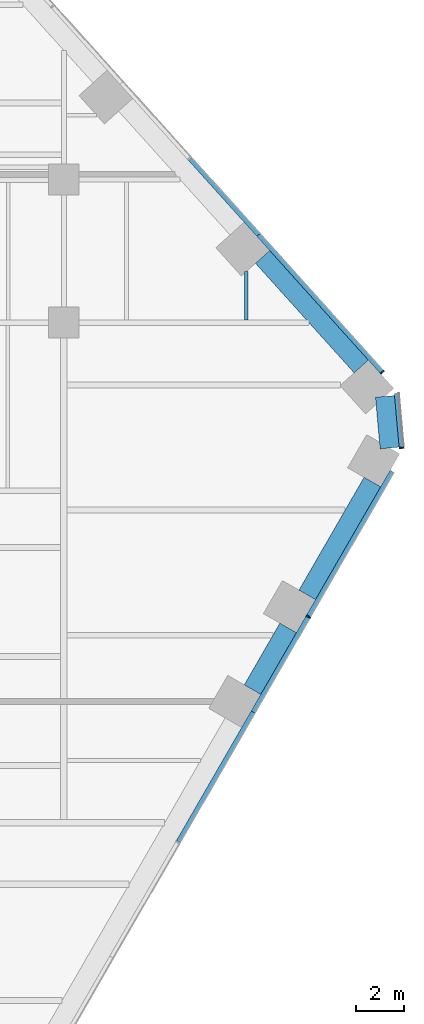
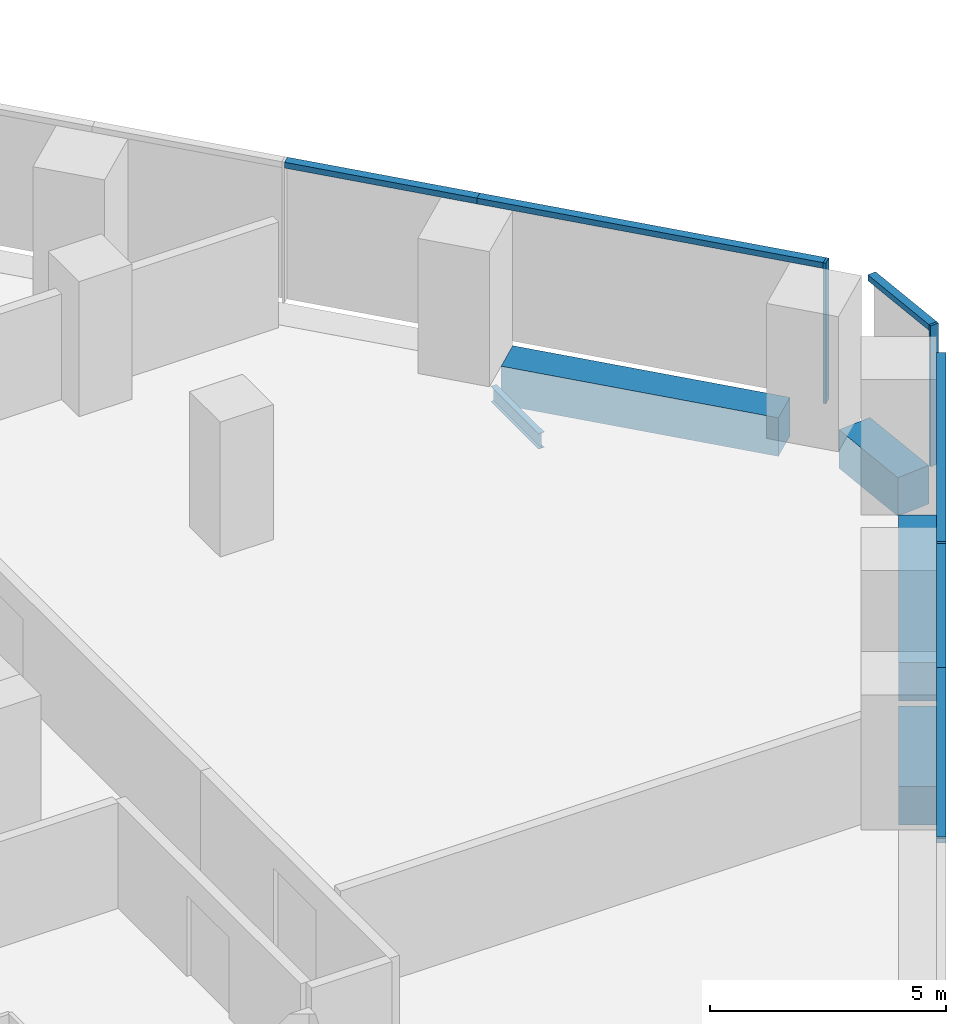
# One storey, part 11 of 19: 9 members, 5 beams, 3 elements without a shape of their own.
"""IFC4 building model written with IfcOpenShell, lengths in metres."""

from ifc_helpers import new_model, si_unit, direction, frame, origin, origin_2d, place, context, subcontext, project, spatial, rectangle, i_section, extrude, material, layer, layer_set, material_profile, profile_set, type_object, element, aggregate, save


model = new_model("IFC4")

# Units and contexts
model_context = context("Model", 3, precision=1e-05, world=origin(), true_north=direction((0.0, 1.0)))
body_context = subcontext(model_context, "Body", "Model", "MODEL_VIEW")
ifc_project = project(units=[si_unit("LENGTHUNIT", "METRE"), si_unit("AREAUNIT", "SQUARE_METRE"), si_unit("VOLUMEUNIT", "CUBIC_METRE"), si_unit("PLANEANGLEUNIT", "RADIAN"), si_unit("MASSUNIT", "GRAM", prefix="KILO")], contexts=[model_context])

# Site, building, storey
site_placement = place(None, origin())
site = spatial("IfcSite", under=ifc_project, at=site_placement, CompositionType="ELEMENT")
building_placement = place(site_placement, origin())
building = spatial("IfcBuilding", under=site, at=building_placement, Name="Isthmus Gate Tower", CompositionType="ELEMENT")
storey_placement = place(building_placement, frame((0.0, 0.0, 91.60009765625)))
storey = spatial("IfcBuildingStorey", under=building, at=storey_placement, Name="L21", CompositionType="ELEMENT", Elevation=91.60009765625)

# Curtain wall, member
ifc_material_1 = material(Name="Aluminium, pale champagne anodised", Category="aluminium")
ifc_layer = layer(ifc_material_1, 0.199951171875)
ifc_layer_set = layer_set([ifc_layer], Name="CW-1 UNITISED CURTAIN WALL 200 DEEP")
curtain_wall_type = type_object("IfcCurtainWallType", Name="CW-1 UNITISED CURTAIN WALL 200 DEEP", PredefinedType="NOTDEFINED", material=ifc_layer_set)
curtain_wall_1_placement = place(storey_placement, origin())
curtain_wall_1 = element("IfcCurtainWall", 1, at=curtain_wall_1_placement, inside=storey, type_object=curtain_wall_type, Name="CW-1 SE L21", PredefinedType="NOTDEFINED")
ifc_material_2 = material(Name="Aluminium, pale champagne anodised", Category="aluminium")
ifc_material_profile_1 = material_profile(ifc_material_2, rectangle(XDim=0.06005859375, YDim=0.199951171875, at=origin_2d()), Name="60x200")
ifc_profile_set_1 = profile_set([ifc_material_profile_1], Name="Aluminium, pale champagne anodised")
member_type_1 = type_object("IfcMemberType", Name="CW-1 MULLION 60 X 200", PredefinedType="MULLION", material=ifc_profile_set_1)
member_1_placement = place(storey_placement, frame((34.267822265625, -4.846435546875, 0.0), z_axis=(0.0, 0.0, 1.0), x_axis=(0.5, 0.866025403784, 0.0)))
member_1 = element("IfcMember", 2, at=member_1_placement, type_object=member_type_1, Name="CW-1 mullion", PredefinedType="MULLION", context=body_context, shape_type="SweptSolid", body=[
    extrude(rectangle(XDim=0.06005859375, YDim=0.199951171875, at=origin_2d()), origin(), (0.0, 0.0, 1.0), 3.64990234375),
])

curtain_wall_2_placement = place(storey_placement, origin())
curtain_wall_2 = element("IfcCurtainWall", 3, at=curtain_wall_2_placement, inside=storey, type_object=curtain_wall_type, Name="CW-1 SE-NE L21", PredefinedType="NOTDEFINED")
member_2_placement = place(storey_placement, frame((38.178955078125, 2.24169921875, 0.0), z_axis=(0.0, 0.0, 1.0), x_axis=(-0.089396669717, 0.995996102123, 0.0)))
member_2 = element("IfcMember", 4, at=member_2_placement, type_object=member_type_1, Name="CW-1 mullion", PredefinedType="MULLION", context=body_context, shape_type="SweptSolid", body=[
    extrude(rectangle(XDim=0.06005859375, YDim=0.199951171875, at=origin_2d()), origin(), (0.0, 0.0, 1.0), 3.64990234375),
])

curtain_wall_3_placement = place(storey_placement, origin())
curtain_wall_3 = element("IfcCurtainWall", 5, at=curtain_wall_3_placement, inside=storey, type_object=curtain_wall_type, Name="CW-1 NE L21", PredefinedType="NOTDEFINED")
member_3_placement = place(storey_placement, frame((37.37353515625, 5.419921875, 0.0), z_axis=(0.0, 0.0, 1.0), x_axis=(-0.669130606359, 0.743144825477, 0.0)))
member_3 = element("IfcMember", 6, at=member_3_placement, type_object=member_type_1, Name="CW-1 mullion", PredefinedType="MULLION", context=body_context, shape_type="SweptSolid", body=[
    extrude(rectangle(XDim=0.06005859375, YDim=0.199951171875, at=origin_2d()), origin(), (0.0, 0.0, 1.0), 3.64990234375),
])

# Member
ifc_material_3 = material(Name="Aluminium, pale champagne anodised", Category="aluminium")
ifc_material_profile_2 = material_profile(ifc_material_3, rectangle(XDim=0.199951171875, YDim=0.14990234375, at=origin_2d()), Name="200x150")
ifc_profile_set_2 = profile_set([ifc_material_profile_2], Name="Aluminium, pale champagne anodised")
member_type_2 = type_object("IfcMemberType", Name="CW-1 TRANSOM 200 X 150", PredefinedType="USERDEFINED", material=ifc_profile_set_2)
member_4_placement = place(storey_placement, frame((28.817138671875, -14.287353515625, 3.574951171875), z_axis=(0.499995104884, 0.866028229963, 0.0), x_axis=(-0.866028229963, 0.499995104884, 0.0)))
member_4 = element("IfcMember", 7, at=member_4_placement, type_object=member_type_2, Name="CW-1 transom", ObjectType="TRANSOM", PredefinedType="USERDEFINED", context=body_context, shape_type="SweptSolid", body=[
    extrude(rectangle(XDim=0.199951171875, YDim=0.14990234375, at=origin_2d()), origin(), (0.0, 0.0, 1.0), 6.2783203125),
])

member_5_placement = place(storey_placement, frame((31.956298828125, -8.85009765625, 3.574951171875), z_axis=(0.499992401796, 0.866029790565, 0.0), x_axis=(-0.866029790565, 0.499992401796, 0.0)))
member_5 = element("IfcMember", 8, at=member_5_placement, type_object=member_type_2, Name="CW-1 transom", ObjectType="TRANSOM", PredefinedType="USERDEFINED", context=body_context, shape_type="SweptSolid", body=[
    extrude(rectangle(XDim=0.199951171875, YDim=0.14990234375, at=origin_2d()), origin(), (0.0, 0.0, 1.0), 4.5927734375),
])

member_6_placement = place(storey_placement, frame((34.28271484375, -4.820556640625, 3.574951171875), z_axis=(0.500004847053, 0.866022605319, 0.0), x_axis=(-0.866022605319, 0.500004847053, 0.0)))
member_6 = element("IfcMember", 9, at=member_6_placement, type_object=member_type_2, Name="CW-1 transom", ObjectType="TRANSOM", PredefinedType="USERDEFINED", context=body_context, shape_type="SweptSolid", body=[
    extrude(rectangle(XDim=0.199951171875, YDim=0.14990234375, at=origin_2d()), origin(), (0.0, 0.0, 1.0), 7.009765625),
])

aggregate(curtain_wall_1, [member_4, member_5, member_1, member_6])

member_7_placement = place(storey_placement, frame((38.17626953125, 2.271728515625, 3.574951171875), z_axis=(-0.089395362867, 0.995996219419, 0.0), x_axis=(-0.995996219419, -0.089395362867, 0.0)))
member_7 = element("IfcMember", 10, at=member_7_placement, type_object=member_type_2, Name="CW-1 transom", ObjectType="TRANSOM", PredefinedType="USERDEFINED", context=body_context, shape_type="SweptSolid", body=[
    extrude(rectangle(XDim=0.199951171875, YDim=0.14990234375, at=origin_2d()), origin(), (0.0, 0.0, 1.0), 2.258544921875),
])

aggregate(curtain_wall_2, [member_2, member_7])

member_8_placement = place(storey_placement, frame((37.353515625, 5.4423828125, 3.574951171875), z_axis=(-0.669133991403, 0.743141777556, 0.0), x_axis=(-0.743141777556, -0.669133991403, 0.0)))
member_8 = element("IfcMember", 11, at=member_8_placement, type_object=member_type_2, Name="CW-1 transom", ObjectType="TRANSOM", PredefinedType="USERDEFINED", context=body_context, shape_type="SweptSolid", body=[
    extrude(rectangle(XDim=0.199951171875, YDim=0.14990234375, at=origin_2d()), origin(), (0.0, 0.0, 1.0), 7.729248046875),
])

member_9_placement = place(storey_placement, frame((32.181640625, 11.186279296875, 3.574951171875), z_axis=(-0.669131169216, 0.743144318678, 0.0), x_axis=(-0.743144318678, -0.669131169216, 0.0)))
member_9 = element("IfcMember", 12, at=member_9_placement, type_object=member_type_2, Name="CW-1 transom", ObjectType="TRANSOM", PredefinedType="USERDEFINED", context=body_context, shape_type="SweptSolid", body=[
    extrude(rectangle(XDim=0.199951171875, YDim=0.14990234375, at=origin_2d()), origin(), (0.0, 0.0, 1.0), 4.294677734375),
])

aggregate(curtain_wall_3, [member_3, member_8, member_9])

# Beams
ifc_material_4 = material(Name="Concrete f'c 70 MPa", Category="concrete")
ifc_material_profile_3 = material_profile(ifc_material_4, rectangle(XDim=0.800048828125, YDim=1.0, at=origin_2d()), Name="RC 800X1000")
ifc_profile_set_3 = profile_set([ifc_material_profile_3], Name="Concrete f'c 70 MPa")
beam_type_1 = type_object("IfcBeamType", Name="RC SPANDREL 800 X 1000", PredefinedType="SPANDREL", material=ifc_profile_set_3)
beam_1_placement = place(storey_placement, frame((32.34521484375, 10.25732421875, -0.5), z_axis=(0.669139054219, -0.743137218903, 0.0), x_axis=(0.743137218903, 0.669139054219, 0.0)))
element("IfcBeam", 13, at=beam_1_placement, inside=storey, type_object=beam_type_1, Name="str-spandrel-L21-04", PredefinedType="SPANDREL", context=body_context, shape_type="SweptSolid", body=[
    extrude(rectangle(XDim=0.800048828125, YDim=1.0, at=origin_2d()), origin(), (0.0, 0.0, 1.0), 6.189453125),
])
beam_2_placement = place(storey_placement, frame((37.483154296875, 4.40185546875, -0.5), z_axis=(0.089421511639, -0.995993872098, 0.0), x_axis=(0.995993872098, 0.089421511639, 0.0)))
element("IfcBeam", 14, at=beam_2_placement, inside=storey, type_object=beam_type_1, Name="str-spandrel-L21-05", PredefinedType="SPANDREL", context=body_context, shape_type="SweptSolid", body=[
    extrude(rectangle(XDim=0.800048828125, YDim=1.0, at=origin_2d()), origin(), (0.0, 0.0, 1.0), 2.17333984375),
])
beam_3_placement = place(storey_placement, frame((36.95458984375, 0.80712890625, -0.5), z_axis=(-0.500008371742, -0.866020570303, 0.0), x_axis=(0.866020570303, -0.500008371742, 0.0)))
element("IfcBeam", 15, at=beam_3_placement, inside=storey, type_object=beam_type_1, Name="str-spandrel-L21-06", PredefinedType="SPANDREL", context=body_context, shape_type="SweptSolid", body=[
    extrude(rectangle(XDim=0.800048828125, YDim=1.0, at=origin_2d()), origin(), (0.0, 0.0, 1.0), 5.4697265625),
])
beam_4_placement = place(storey_placement, frame((33.419677734375, -5.315185546875, -0.5), z_axis=(-0.499955472713, -0.866051110099, 0.0), x_axis=(0.866051110099, -0.499955472713, 0.0)))
element("IfcBeam", 16, at=beam_4_placement, inside=storey, type_object=beam_type_1, Name="str-spandrel-L21-07", PredefinedType="SPANDREL", context=body_context, shape_type="SweptSolid", body=[
    extrude(rectangle(XDim=0.800048828125, YDim=1.0, at=origin_2d()), origin(), (0.0, 0.0, 1.0), 2.992919921875),
])
ifc_material_5 = material(Name="Structural steel ASTM A992 Gr 50", Category="steel")
ifc_material_profile_4 = material_profile(ifc_material_5, i_section(OverallWidth=0.1396484375, OverallDepth=0.4033203125, WebThickness=0.00634765625, FlangeThickness=0.010986328125, at=origin_2d()), Name="W16X31")
ifc_profile_set_4 = profile_set([ifc_material_profile_4], Name="Structural steel ASTM A992 Gr 50")
beam_type_2 = type_object("IfcBeamType", Name="STEEL FLOOR BEAM W16X31", PredefinedType="JOIST", material=ifc_profile_set_4)
beam_5_placement = place(storey_placement, frame((31.666259765625, 7.6142578125, -0.351806640625), z_axis=(0.0, 1.0, 0.0), x_axis=(-1.0, 0.0, 0.0)))
element("IfcBeam", 17, at=beam_5_placement, inside=storey, type_object=beam_type_2, Name="str-beam-L21-33-01", PredefinedType="JOIST", context=body_context, shape_type="SweptSolid", body=[
    extrude(i_section(OverallWidth=0.1396484375, OverallDepth=0.4033203125, WebThickness=0.00634765625, FlangeThickness=0.010986328125, at=origin_2d()), origin(), (0.0, 0.0, 1.0), 2.03173828125),
])

save(model, "model.ifc")
